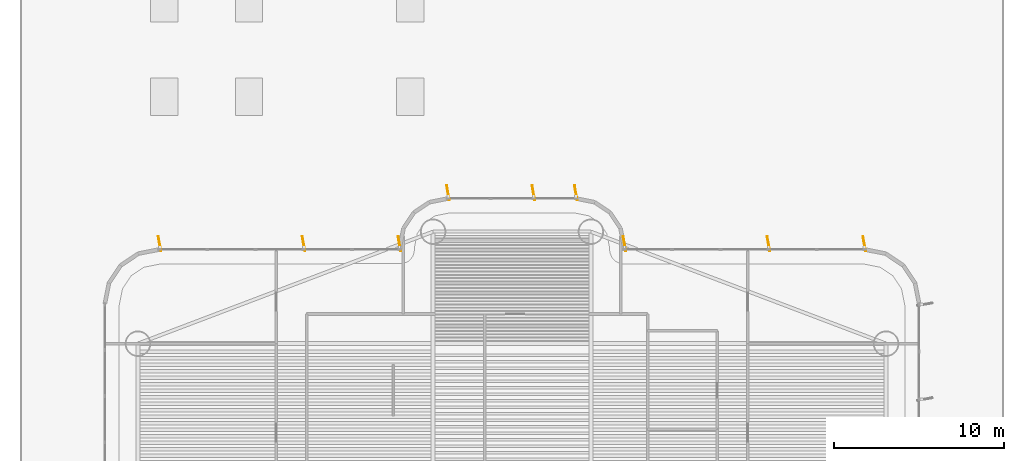
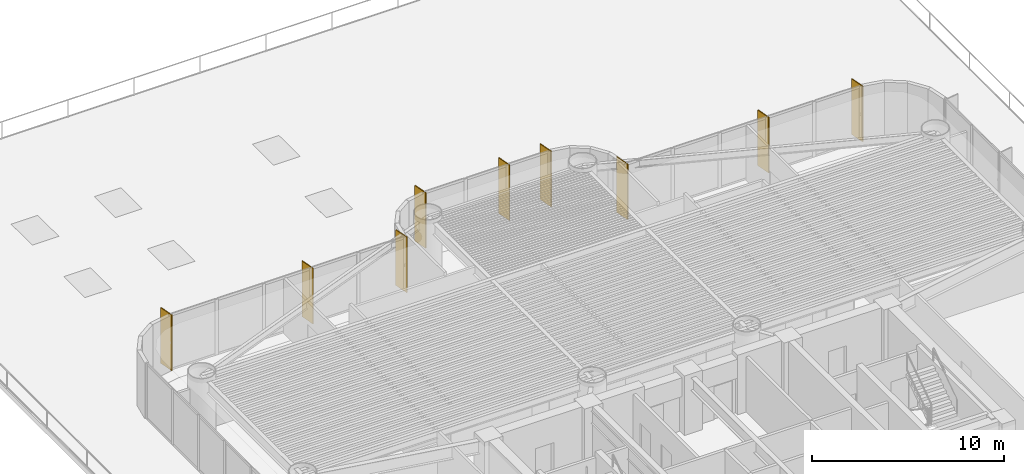
# One storey, part 17 of 17: 9 shading devices.
"""IFC4 building model written with IfcOpenShell, lengths in metres."""

from ifc_helpers import new_model, si_unit, direction, frame, origin, origin_2d, place, context, subcontext, project, spatial, rectangle, extrude, source, transform, mapped, material, material_profile, profile_set, type_object, element, save


model = new_model("IFC4")

# Units and contexts
model_context = context("Model", 3, precision=1e-05, world=origin(), true_north=direction((0.0, 1.0)))
body_context = subcontext(model_context, "Body", "Model", "MODEL_VIEW")
ifc_project = project(units=[si_unit("LENGTHUNIT", "METRE"), si_unit("AREAUNIT", "SQUARE_METRE"), si_unit("VOLUMEUNIT", "CUBIC_METRE"), si_unit("PLANEANGLEUNIT", "RADIAN"), si_unit("MASSUNIT", "GRAM", prefix="KILO")], contexts=[model_context])

# Site, building, storey
site_placement = place(None, origin())
site = spatial("IfcSite", under=ifc_project, at=site_placement, CompositionType="ELEMENT")
building_placement = place(site_placement, origin())
building = spatial("IfcBuilding", under=site, at=building_placement, Name="Brelvock Crest Care Tower", CompositionType="ELEMENT")
storey_placement = place(building_placement, frame((0.0, 0.0, 27.0)))
storey = spatial("IfcBuildingStorey", under=building, at=storey_placement, Name="L06", CompositionType="ELEMENT", Elevation=27.0)

# Shading devices
ifc_material = material(Name="Aluminium 6063-T6", Category="aluminium")
ifc_material_profile = material_profile(ifc_material, rectangle(XDim=0.054931640625, YDim=0.89990234375, at=origin_2d()), Name="FIN55x900")
ifc_profile_set = profile_set([ifc_material_profile], Name="Aluminium 6063-T6")
shading_device_type = type_object("IfcShadingDeviceType", Name="SHD-FIN1", PredefinedType="USERDEFINED", material=ifc_profile_set)
shared_shape = source(origin(), body_context, "Body", "SweptSolid", [
    extrude(rectangle(XDim=0.054931640625, YDim=0.89990234375, at=origin_2d()), origin(), (0.0, 0.0, 1.0), 3.530029296875),
])
for number, where, z_axis, x_axis, name in (
    (1, (15.232421875, 36.340087890625, 0.0), (0.0, 0.0, 1.0), (0.984807753012, 0.173648177667, 0.0), "L06 Vertical Sunshade Fin E18-01"),
    (2, (23.719970703125, 36.340087890625, 0.0), (0.0, 0.0, 1.0), (0.984807753012, 0.173648177667, 0.0), "L06 Vertical Sunshade Fin E18-04"),
    (3, (29.367431640625, 36.340087890625, 0.0), (0.0, 0.0, 1.0), (0.984807753012, 0.173648177667, 0.0), "L06 Vertical Sunshade Fin E18-06"),
    (4, (32.232421875, 39.340087890625, 0.0), (0.0, 0.0, 1.0), (0.984807753012, 0.173648177667, 0.0), "L06 Vertical Sunshade Fin E24-01"),
    (5, (37.2666015625, 39.340087890625, 0.0), (0.0, 0.0, 1.0), (0.984807753012, 0.173648177667, 0.0), "L06 Vertical Sunshade Fin E24-03"),
    (6, (39.767578125, 39.340087890625, 0.0), (0.0, 0.0, 1.0), (0.984807753012, 0.173648177667, 0.0), "L06 Vertical Sunshade Fin E24-04"),
    (7, (42.632568359375, 36.340087890625, 0.0), (0.0, 0.0, 1.0), (0.984807753012, 0.173648177667, 0.0), "L06 Vertical Sunshade Fin E30-01"),
    (8, (51.1201171875, 36.340087890625, 0.0), (0.0, 0.0, 1.0), (0.984807753012, 0.173648177667, 0.0), "L06 Vertical Sunshade Fin E30-04"),
    (9, (56.767578125, 36.340087890625, 0.0), (0.0, 0.0, 1.0), (0.984807753012, 0.173648177667, 0.0), "L06 Vertical Sunshade Fin E30-06"),
):
    element("IfcShadingDevice", number, at=place(storey_placement, frame(where, z_axis=z_axis, x_axis=x_axis)), inside=storey, type_object=shading_device_type, Name=name, ObjectType="FIN", PredefinedType="USERDEFINED", context=body_context, shape_type="MappedRepresentation", body=[
        mapped(shared_shape, transform((0.0, 0.0, 0.0), x_axis=(1.0, 0.0, 0.0), y_axis=(0.0, 1.0, 0.0), z_axis=(0.0, 0.0, 1.0), scale=1.0)),
    ])

save(model, "model.ifc")
